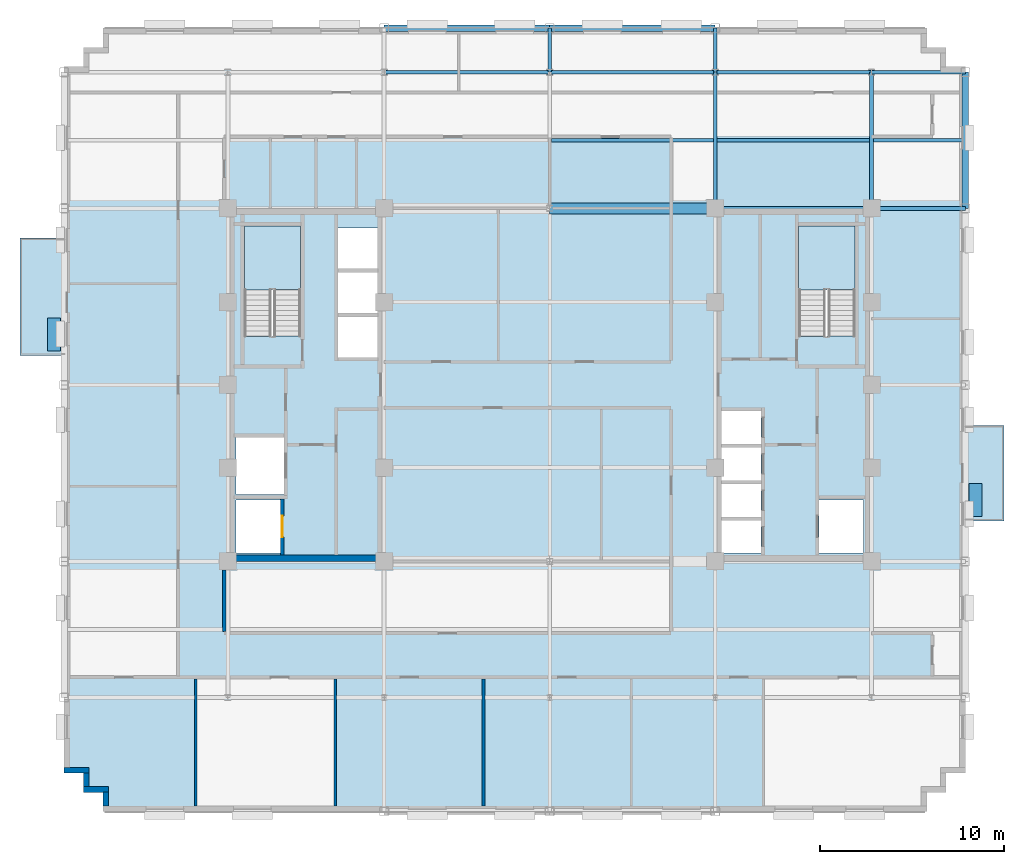
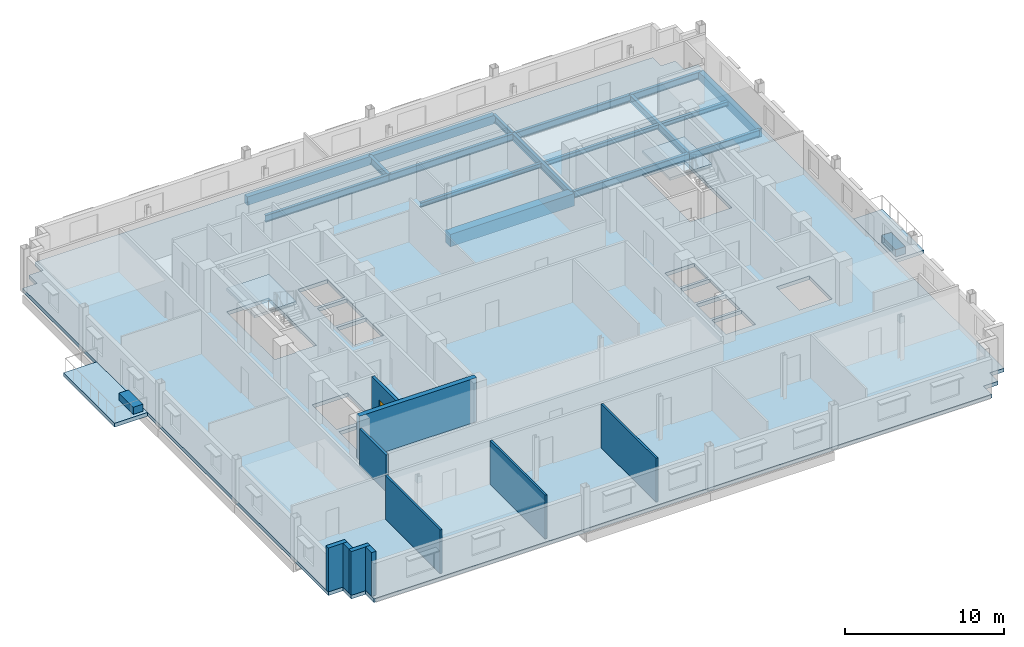
# One storey, part 6 of 15: 17 beams, 10 walls, 5 slabs, 2 plates, 1 door, 1 opening, 2 elements without a shape of their own.
"""IFC4 building model written with IfcOpenShell, lengths in metres."""

from ifc_helpers import new_model, si_unit, direction, frame, frame_2d, origin, origin_2d, place, context, subcontext, project, spatial, polyline, rectangle, i_section, outline, extrude, source, transform, mapped, material, layer, layer_set, material_profile, profile_set, type_object, type_shapes, element, fill, aggregate, save


model = new_model("IFC4")

# Units and contexts
model_context = context("Model", 3, precision=1e-05, world=origin(), true_north=direction((0.0, 1.0)))
body_context = subcontext(model_context, "Body", "Model", "MODEL_VIEW")
ifc_project = project(units=[si_unit("LENGTHUNIT", "METRE"), si_unit("AREAUNIT", "SQUARE_METRE"), si_unit("VOLUMEUNIT", "CUBIC_METRE"), si_unit("PLANEANGLEUNIT", "RADIAN"), si_unit("MASSUNIT", "GRAM", prefix="KILO")], contexts=[model_context])

# Site, building, storey
site_placement = place(None, origin())
site = spatial("IfcSite", under=ifc_project, at=site_placement, CompositionType="ELEMENT")
building_placement = place(site_placement, origin())
building = spatial("IfcBuilding", under=site, at=building_placement, Name="Nuvemarco Arch Tower", CompositionType="ELEMENT")
storey_placement = place(building_placement, frame((0.0, 0.0, 190.89990234375)))
storey = spatial("IfcBuildingStorey", under=building, at=storey_placement, Name="L50", CompositionType="ELEMENT", Elevation=190.89990234375)

# Beams
ifc_material_1 = material(Name="Concrete C60/75", Category="concrete")
ifc_material_profile_1 = material_profile(ifc_material_1, rectangle(XDim=0.60009765625, YDim=0.949951171875, at=origin_2d()), Name="RC-BM-600x950")
ifc_profile_set_1 = profile_set([ifc_material_profile_1], Name="Concrete C60/75")
beam_type_1 = type_object("IfcBeamType", Name="BM-COUP-RC", PredefinedType="LINTEL", material=ifc_profile_set_1)
beam_1_placement = place(storey_placement, frame((0.0, 9.60009765625, -0.7548828125), z_axis=(1.0, 0.0, 0.0), x_axis=(0.0, 1.0, 0.0)))
element("IfcBeam", 1, at=beam_1_placement, inside=storey, type_object=beam_type_1, Name="L50 structural beam BGEW_L50_0_+9.6_+0.0", PredefinedType="LINTEL", context=body_context, shape_type="SweptSolid", body=[
    extrude(rectangle(XDim=0.60009765625, YDim=0.949951171875, at=origin_2d()), origin(), (0.0, 0.0, 1.0), 9.0),
])
ifc_material_2 = material(Name="Steel S355", Category="steel")
ifc_material_profile_2 = material_profile(ifc_material_2, i_section(OverallWidth=0.2109375, OverallDepth=0.5390625, WebThickness=0.01171875, FlangeThickness=0.018798828125, FilletRadius=0.01611328125, at=origin_2d()), Name="W530x109")
ifc_profile_set_2 = profile_set([ifc_material_profile_2], Name="Steel S355")
beam_type_2 = type_object("IfcBeamType", Name="BM-GIRD-530", PredefinedType="BEAM", material=ifc_profile_set_2)
beam_2_placement = place(storey_placement, frame((0.0, 17.0, -0.54931640625), z_axis=(0.0, 1.0, 0.0), x_axis=(-1.0, 0.0, 0.0)))
element("IfcBeam", 2, at=beam_2_placement, inside=storey, type_object=beam_type_2, Name="L50 structural beam BGNS_L50_0_+0.0_+17.0", PredefinedType="BEAM", context=body_context, shape_type="SweptSolid", body=[
    extrude(i_section(OverallWidth=0.2109375, OverallDepth=0.5390625, WebThickness=0.01171875, FlangeThickness=0.018798828125, FilletRadius=0.01611328125, at=origin_2d()), origin(), (0.0, 0.0, 1.0), 2.39990234375),
])
beam_3_placement = place(storey_placement, frame((9.0, 9.60009765625, -0.54931640625), z_axis=(0.0, 1.0, 0.0), x_axis=(-1.0, 0.0, 0.0)))
element("IfcBeam", 3, at=beam_3_placement, inside=storey, type_object=beam_type_2, Name="L50 structural beam BGNS_L50_0_+9.0_+9.6", PredefinedType="BEAM", context=body_context, shape_type="SweptSolid", body=[
    extrude(i_section(OverallWidth=0.2109375, OverallDepth=0.5390625, WebThickness=0.01171875, FlangeThickness=0.018798828125, FilletRadius=0.01611328125, at=origin_2d()), origin(), (0.0, 0.0, 1.0), 7.39990234375),
])
beam_4_placement = place(storey_placement, frame((9.0, 17.0, -0.54931640625), z_axis=(0.0, 1.0, 0.0), x_axis=(-1.0, 0.0, 0.0)))
element("IfcBeam", 4, at=beam_4_placement, inside=storey, type_object=beam_type_2, Name="L50 structural beam BGNS_L50_0_+9.0_+17.0", PredefinedType="BEAM", context=body_context, shape_type="SweptSolid", body=[
    extrude(i_section(OverallWidth=0.2109375, OverallDepth=0.5390625, WebThickness=0.01171875, FlangeThickness=0.018798828125, FilletRadius=0.01611328125, at=origin_2d()), origin(), (0.0, 0.0, 1.0), 2.39990234375),
])
beam_5_placement = place(storey_placement, frame((17.5, 9.60009765625, -0.54931640625), z_axis=(0.0, 1.0, 0.0), x_axis=(-1.0, 0.0, 0.0)))
element("IfcBeam", 5, at=beam_5_placement, inside=storey, type_object=beam_type_2, Name="L50 structural beam BGNS_L50_0_+17.5_+9.6", PredefinedType="BEAM", context=body_context, shape_type="SweptSolid", body=[
    extrude(i_section(OverallWidth=0.2109375, OverallDepth=0.5390625, WebThickness=0.01171875, FlangeThickness=0.018798828125, FilletRadius=0.01611328125, at=origin_2d()), origin(), (0.0, 0.0, 1.0), 7.39990234375),
])
beam_6_placement = place(storey_placement, frame((9.0, 9.60009765625, -0.54931640625), z_axis=(1.0, 0.0, 0.0), x_axis=(0.0, 1.0, 0.0)))
element("IfcBeam", 6, at=beam_6_placement, inside=storey, type_object=beam_type_2, Name="L50 structural beam BGEW_L50_0_+9.6_+9.0", PredefinedType="BEAM", context=body_context, shape_type="SweptSolid", body=[
    extrude(i_section(OverallWidth=0.2109375, OverallDepth=0.5390625, WebThickness=0.01171875, FlangeThickness=0.018798828125, FilletRadius=0.01611328125, at=origin_2d()), origin(), (0.0, 0.0, 1.0), 8.5),
])
beam_7_placement = place(storey_placement, frame((17.5, 9.60009765625, -0.54931640625), z_axis=(1.0, 0.0, 0.0), x_axis=(0.0, 1.0, 0.0)))
element("IfcBeam", 7, at=beam_7_placement, inside=storey, type_object=beam_type_2, Name="L50 structural beam BGEW_L50_0_+9.6_+17.5", PredefinedType="BEAM", context=body_context, shape_type="SweptSolid", body=[
    extrude(i_section(OverallWidth=0.2109375, OverallDepth=0.5390625, WebThickness=0.01171875, FlangeThickness=0.018798828125, FilletRadius=0.01611328125, at=origin_2d()), origin(), (0.0, 0.0, 1.0), 5.10009765625),
])
for number, where, z_axis, x_axis, name in (
    (8, (-9.0, 17.0, -0.54931640625), (1.0, 0.0, 0.0), (0.0, 1.0, 0.0), "L50 structural beam BGEW_L50_0_+17.0_-9.0"),
    (9, (0.0, 17.0, -0.54931640625), (1.0, 0.0, 0.0), (0.0, 1.0, 0.0), "L50 structural beam BGEW_L50_0_+17.0_+0.0"),
):
    element("IfcBeam", number, at=place(storey_placement, frame(where, z_axis=z_axis, x_axis=x_axis)), inside=storey, type_object=beam_type_2, Name=name, PredefinedType="BEAM", context=body_context, shape_type="SweptSolid", body=[
        extrude(i_section(OverallWidth=0.2109375, OverallDepth=0.5390625, WebThickness=0.01171875, FlangeThickness=0.018798828125, FilletRadius=0.01611328125, at=origin_2d()), origin(), (0.0, 0.0, 1.0), 9.0),
    ])
beam_8_placement = place(storey_placement, frame((9.0, 17.0, -0.54931640625), z_axis=(1.0, 0.0, 0.0), x_axis=(0.0, 1.0, 0.0)))
element("IfcBeam", 10, at=beam_8_placement, inside=storey, type_object=beam_type_2, Name="L50 structural beam BGEW_L50_0_+17.0_+9.0", PredefinedType="BEAM", context=body_context, shape_type="SweptSolid", body=[
    extrude(i_section(OverallWidth=0.2109375, OverallDepth=0.5390625, WebThickness=0.01171875, FlangeThickness=0.018798828125, FilletRadius=0.01611328125, at=origin_2d()), origin(), (0.0, 0.0, 1.0), 8.5),
])
beam_9_placement = place(storey_placement, frame((17.5, 17.0, -0.54931640625), z_axis=(1.0, 0.0, 0.0), x_axis=(0.0, 1.0, 0.0)))
element("IfcBeam", 11, at=beam_9_placement, inside=storey, type_object=beam_type_2, Name="L50 structural beam BGEW_L50_0_+17.0_+17.5", PredefinedType="BEAM", context=body_context, shape_type="SweptSolid", body=[
    extrude(i_section(OverallWidth=0.2109375, OverallDepth=0.5390625, WebThickness=0.01171875, FlangeThickness=0.018798828125, FilletRadius=0.01611328125, at=origin_2d()), origin(), (0.0, 0.0, 1.0), 5.10009765625),
])
ifc_material_profile_3 = material_profile(ifc_material_2, i_section(OverallWidth=0.202880859375, OverallDepth=0.346923828125, WebThickness=0.0078125, FlangeThickness=0.013427734375, FilletRadius=0.014892578125, at=origin_2d()), Name="W360x64")
ifc_profile_set_3 = profile_set([ifc_material_profile_3], Name="Steel S355")
beam_type_3 = type_object("IfcBeamType", Name="BM-JOIST-360", PredefinedType="JOIST", material=ifc_profile_set_3)
beam_10_placement = place(storey_placement, frame((0.10546875, 13.300048828125, -0.453369140625), z_axis=(1.0, 0.0, 0.0), x_axis=(0.0, 1.0, 0.0)))
element("IfcBeam", 12, at=beam_10_placement, inside=storey, type_object=beam_type_3, Name="L50 structural beam BJ_L50_0_+13.3_+0.0", PredefinedType="JOIST", context=body_context, shape_type="SweptSolid", body=[
    extrude(i_section(OverallWidth=0.202880859375, OverallDepth=0.346923828125, WebThickness=0.0078125, FlangeThickness=0.013427734375, FilletRadius=0.014892578125, at=origin_2d()), origin(), (0.0, 0.0, 1.0), 8.7890625),
])
beam_11_placement = place(storey_placement, frame((9.10546875, 13.300048828125, -0.453369140625), z_axis=(1.0, 0.0, 0.0), x_axis=(0.0, 1.0, 0.0)))
element("IfcBeam", 13, at=beam_11_placement, inside=storey, type_object=beam_type_3, Name="L50 structural beam BJ_L50_0_+13.3_+9.0", PredefinedType="JOIST", context=body_context, shape_type="SweptSolid", body=[
    extrude(i_section(OverallWidth=0.202880859375, OverallDepth=0.346923828125, WebThickness=0.0078125, FlangeThickness=0.013427734375, FilletRadius=0.014892578125, at=origin_2d()), origin(), (0.0, 0.0, 1.0), 8.2890625),
])
beam_12_placement = place(storey_placement, frame((17.60546875, 13.300048828125, -0.453369140625), z_axis=(1.0, 0.0, 0.0), x_axis=(0.0, 1.0, 0.0)))
element("IfcBeam", 14, at=beam_12_placement, inside=storey, type_object=beam_type_3, Name="L50 structural beam BJ_L50_0_+13.3_+17.5", PredefinedType="JOIST", context=body_context, shape_type="SweptSolid", body=[
    extrude(i_section(OverallWidth=0.202880859375, OverallDepth=0.346923828125, WebThickness=0.0078125, FlangeThickness=0.013427734375, FilletRadius=0.014892578125, at=origin_2d()), origin(), (0.0, 0.0, 1.0), 4.819580078125),
])
ifc_material_3 = material(Name="Precast concrete C45/55", Category="concrete")
ifc_material_profile_4 = material_profile(ifc_material_3, rectangle(XDim=0.35009765625, YDim=0.64990234375, at=origin_2d()), Name="PC-SP-350x650")
ifc_profile_set_4 = profile_set([ifc_material_profile_4], Name="Precast concrete C45/55")
beam_type_4 = type_object("IfcBeamType", Name="BM-SPAN-RC", PredefinedType="SPANDREL", material=ifc_profile_set_4)
beam_13_placement = place(storey_placement, frame((22.60009765625, 9.60009765625, -0.60498046875), z_axis=(0.0, 1.0, 0.0), x_axis=(-1.0, 0.0, 0.0)))
element("IfcBeam", 15, at=beam_13_placement, inside=storey, type_object=beam_type_4, Name="L50 structural beam BGNS_L50_0_+22.6_+9.6", PredefinedType="SPANDREL", context=body_context, shape_type="SweptSolid", body=[
    extrude(rectangle(XDim=0.35009765625, YDim=0.64990234375, at=origin_2d()), origin(), (0.0, 0.0, 1.0), 7.39990234375),
])
for number, where, z_axis, x_axis, name in (
    (16, (-9.0, 19.39990234375, -0.60498046875), (1.0, 0.0, 0.0), (0.0, 1.0, 0.0), "L50 structural beam BGEW_L50_0_+19.4_-9.0"),
    (17, (0.0, 19.39990234375, -0.60498046875), (1.0, 0.0, 0.0), (0.0, 1.0, 0.0), "L50 structural beam BGEW_L50_0_+19.4_+0.0"),
):
    element("IfcBeam", number, at=place(storey_placement, frame(where, z_axis=z_axis, x_axis=x_axis)), inside=storey, type_object=beam_type_4, Name=name, PredefinedType="SPANDREL", context=body_context, shape_type="SweptSolid", body=[
        extrude(rectangle(XDim=0.35009765625, YDim=0.64990234375, at=origin_2d()), origin(), (0.0, 0.0, 1.0), 9.0),
    ])

# Slab
ifc_material_4 = material(Name="Concrete C50/60", Category="concrete")
ifc_layer_1 = layer(ifc_material_4, 0.280029296875, Name="SL-FLR-280")
ifc_layer_set_1 = layer_set([ifc_layer_1], Name="Concrete C50/60")
slab_type_1 = type_object("IfcSlabType", Name="SL-FLR-280", PredefinedType="FLOOR", material=ifc_layer_set_1)
slab_1_placement = place(storey_placement, frame((0.0, 0.0, -0.27978515625)))
element("IfcSlab", 18, at=slab_1_placement, inside=storey, type_object=slab_type_1, Name="L50 structural floor slab", PredefinedType="FLOOR", context=body_context, shape_type="SweptSolid", body=[
    extrude(outline(polyline([(-24.300048828125, -23.199951171875), (20.5, -23.199951171875), (20.5, -22.14990234375), (21.550048828125, -22.14990234375), (21.550048828125, -21.10009765625), (22.60009765625, -21.10009765625), (22.60009765625, 17.300048828125), (21.550048828125, 17.300048828125), (21.550048828125, 18.35009765625), (20.5, 18.35009765625), (20.5, 19.39990234375), (-24.300048828125, 19.39990234375), (-24.300048828125, 18.35009765625), (-25.35009765625, 18.35009765625), (-25.35009765625, 17.300048828125), (-26.39990234375, 17.300048828125), (-26.39990234375, -21.10009765625), (-25.35009765625, -21.10009765625), (-25.35009765625, -22.14990234375), (-24.300048828125, -22.14990234375), (-24.300048828125, -23.199951171875)]), holes=[polyline([(-13.5400390625, 2.669921875), (-13.5400390625, 8.64990234375), (-16.60009765625, 8.64990234375), (-16.60009765625, 2.630615234375), (-15.070068359375, 2.630615234375), (-15.070068359375, 2.669921875), (-13.5400390625, 2.669921875)]), polyline([(16.60009765625, 2.669921875), (16.60009765625, 8.64990234375), (13.5400390625, 8.64990234375), (13.5400390625, 2.630615234375), (15.070068359375, 2.630615234375), (15.070068359375, 2.669921875), (16.60009765625, 2.669921875)]), polyline([(-17.050048828125, -9.14990234375), (-14.64990234375, -9.14990234375), (-14.64990234375, -6.25), (-17.050048828125, -6.25), (-17.050048828125, -9.14990234375)]), polyline([(-17.050048828125, -5.949951171875), (-14.449951171875, -5.949951171875), (-14.449951171875, -2.85009765625), (-17.050048828125, -2.85009765625), (-17.050048828125, -5.949951171875)]), polyline([(-11.5, 1.5), (-9.35009765625, 1.5), (-9.35009765625, 3.699951171875), (-11.5, 3.699951171875), (-11.5, 1.5)]), polyline([(-11.5, 3.919921875), (-9.35009765625, 3.919921875), (-9.35009765625, 6.1201171875), (-11.5, 6.1201171875), (-11.5, 3.919921875)]), polyline([(-11.5, 6.340087890625), (-9.35009765625, 6.340087890625), (-9.35009765625, 8.5400390625), (-11.5, 8.5400390625), (-11.5, 6.340087890625)]), polyline([(14.64990234375, -9.14990234375), (17.050048828125, -9.14990234375), (17.050048828125, -6.25), (14.64990234375, -6.25), (14.64990234375, -9.14990234375)]), polyline([(9.35009765625, -9.14990234375), (11.5, -9.14990234375), (11.5, -7.3701171875), (9.35009765625, -7.3701171875), (9.35009765625, -9.14990234375)]), polyline([(9.35009765625, -7.169921875), (11.5, -7.169921875), (11.5, -5.389892578125), (9.35009765625, -5.389892578125), (9.35009765625, -7.169921875)]), polyline([(9.35009765625, -5.18994140625), (11.5, -5.18994140625), (11.5, -3.409912109375), (9.35009765625, -3.409912109375), (9.35009765625, -5.18994140625)]), polyline([(9.35009765625, -3.2099609375), (11.5, -3.2099609375), (11.5, -1.429931640625), (9.35009765625, -1.429931640625), (9.35009765625, -3.2099609375)])]), origin(), (0.0, 0.0, 1.0), 0.27978515625),
])

# Stair, slab
stair_type = type_object("IfcStairType", Name="ST-CORE-20R", PredefinedType="HALF_TURN_STAIR", material=ifc_material_3)
stair_1_placement = place(storey_placement, origin())
stair_1 = element("IfcStair", 19, at=stair_1_placement, inside=storey, type_object=stair_type, Name="L50 Protected Exit Stair ST-1", PredefinedType="HALF_TURN_STAIR")
ifc_layer_2 = layer(ifc_material_3, 0.199951171875, Name="SL-LANDING-200")
ifc_layer_set_2 = layer_set([ifc_layer_2], Name="Precast concrete C45/55")
slab_type_2 = type_object("IfcSlabType", Name="SL-LANDING-200", PredefinedType="LANDING", material=ifc_layer_set_2)
slab_2_placement = place(storey_placement, frame((0.0, 0.0, 1.625)))
slab_2 = element("IfcSlab", 20, at=slab_2_placement, type_object=slab_type_2, Name="ST-20R landing 1", PredefinedType="LANDING", context=body_context, shape_type="SweptSolid", body=[
    extrude(outline(polyline([(-13.5400390625, 5.189453125), (-13.5400390625, 8.64990234375), (-16.60009765625, 8.64990234375), (-16.60009765625, 5.169921875), (-15.070068359375, 5.169921875), (-15.070068359375, 5.189453125), (-13.5400390625, 5.189453125)])), origin(), (0.0, 0.0, 1.0), 0.2001953125),
])
aggregate(stair_1, [slab_2])

stair_2_placement = place(storey_placement, origin())
stair_2 = element("IfcStair", 21, at=stair_2_placement, inside=storey, type_object=stair_type, Name="L50 Protected Exit Stair ST-2", PredefinedType="HALF_TURN_STAIR")
slab_3_placement = place(storey_placement, frame((0.0, 0.0, 1.625)))
slab_3 = element("IfcSlab", 22, at=slab_3_placement, type_object=slab_type_2, Name="ST-20R landing 1", PredefinedType="LANDING", context=body_context, shape_type="SweptSolid", body=[
    extrude(outline(polyline([(16.60009765625, 5.189453125), (16.60009765625, 8.64990234375), (13.5400390625, 8.64990234375), (13.5400390625, 5.169921875), (15.070068359375, 5.169921875), (15.070068359375, 5.189453125), (16.60009765625, 5.189453125)])), origin(), (0.0, 0.0, 1.0), 0.2001953125),
])
aggregate(stair_2, [slab_3])

# Slabs
ifc_layer_3 = layer(ifc_material_4, 0.264892578125, Name="SL-TB1")
ifc_layer_set_3 = layer_set([ifc_layer_3], Name="Concrete C50/60")
slab_type_3 = type_object("IfcSlabType", Name="SL-TB1", PredefinedType="FLOOR", material=ifc_layer_set_3)
slab_4_placement = place(storey_placement, frame((0.0, 0.0, -0.264892578125)))
element("IfcSlab", 23, at=slab_4_placement, inside=storey, type_object=slab_type_3, Name="L50 outdoor tree balcony slab 2", PredefinedType="FLOOR", context=body_context, shape_type="SweptSolid", body=[
    extrude(outline(polyline([(22.60009765625, -7.39990234375), (24.699951171875, -7.39990234375), (24.699951171875, -2.199951171875), (22.60009765625, -2.199951171875), (22.60009765625, -7.39990234375)])), origin(), (0.0, 0.0, 1.0), 0.264892578125),
])
ifc_layer_4 = layer(ifc_material_4, 0.294921875, Name="SL-TR4")
ifc_layer_set_4 = layer_set([ifc_layer_4], Name="Concrete C50/60")
slab_type_4 = type_object("IfcSlabType", Name="SL-TR4", PredefinedType="FLOOR", material=ifc_layer_set_4)
slab_5_placement = place(storey_placement, frame((0.0, 0.0, -0.294921875)))
element("IfcSlab", 24, at=slab_5_placement, inside=storey, type_object=slab_type_4, Name="L50 outdoor spiral terrace slab 1", PredefinedType="FLOOR", context=body_context, shape_type="SweptSolid", body=[
    extrude(outline(polyline([(-28.800048828125, 1.60009765625), (-26.39990234375, 1.60009765625), (-26.39990234375, 8.0), (-28.800048828125, 8.0), (-28.800048828125, 1.60009765625)])), origin(), (0.0, 0.0, 1.0), 0.294921875),
])

# Plates
ifc_layer_5 = layer(ifc_material_3, 0.550048828125, Name="Tree Balcony Structural Planter")
ifc_layer_set_5 = layer_set([ifc_layer_5], Name="Precast concrete C45/55")
plate_type = type_object("IfcPlateType", Name="Tree Balcony Structural Planter", PredefinedType="USERDEFINED", material=ifc_layer_set_5)
shared_shape_1 = source(origin(), body_context, "Body", "SweptSolid", [
    extrude(rectangle(XDim=1.800048828125, YDim=0.699951171875, at=origin_2d()), origin(), (0.0, 0.0, 1.0), 0.550048828125),
])
type_shapes(plate_type, [shared_shape_1])
for number, where, z_axis, x_axis, name in (
    (25, (-26.949951171875, 2.75, 0.0), (0.0, 0.0, 1.0), (0.0, 1.0, 0.0), "L50 Tree Balcony Structural Planter"),
    (26, (23.14990234375, -6.25, 0.0), (0.0, 0.0, 1.0), (0.0, 1.0, 0.0), "L50 Tree Balcony Structural Planter"),
):
    element("IfcPlate", number, at=place(storey_placement, frame(where, z_axis=z_axis, x_axis=x_axis)), inside=storey, type_object=plate_type, Name=name, ObjectType="PLANTER", PredefinedType="USERDEFINED", context=body_context, shape_type="MappedRepresentation", body=[
        mapped(shared_shape_1, transform((0.0, 0.0, 0.0), scale=1.0)),
    ])

# Walls
ifc_layer_6 = layer(ifc_material_3, 0.31005859375, Name="EW-UPP-310")
ifc_layer_set_6 = layer_set([ifc_layer_6], Name="Precast concrete C45/55")
wall_type_1 = type_object("IfcWallType", Name="EW-UPP-310", PredefinedType="STANDARD", material=ifc_layer_set_6)
wall_1_placement = place(storey_placement, frame((-26.39990234375, -20.945068359375, 0.0), z_axis=(0.0, 0.0, 1.0), x_axis=(1.0, 0.0, 0.0)))
element("IfcWall", 27, at=wall_1_placement, inside=storey, type_object=wall_type_1, Name="L50 exterior precast facade wall 17", PredefinedType="STANDARD", context=body_context, shape_type="SweptSolid", body=[
    extrude(rectangle(XDim=1.35986328125, YDim=0.31005859375, at=frame_2d((0.679931640625, 0.0))), origin(), (0.0, 0.0, 1.0), 3.360107421875),
])
wall_2_placement = place(storey_placement, frame((-25.195068359375, -21.843994140625, 0.0), z_axis=(0.0, 0.0, 1.0), x_axis=(0.0, 1.0, 0.0)))
element("IfcWall", 28, at=wall_2_placement, inside=storey, type_object=wall_type_1, Name="L50 exterior precast facade wall 18", PredefinedType="STANDARD", context=body_context, shape_type="SweptSolid", body=[
    extrude(rectangle(XDim=0.748046875, YDim=0.31005859375, at=frame_2d((0.3740234375, 0.0))), origin(), (0.0, 0.0, 1.0), 3.360107421875),
])
wall_3_placement = place(storey_placement, frame((-25.35009765625, -21.9951171875, 0.0), z_axis=(0.0, 0.0, 1.0), x_axis=(1.0, 0.0, 0.0)))
element("IfcWall", 29, at=wall_3_placement, inside=storey, type_object=wall_type_1, Name="L50 exterior precast facade wall 19", PredefinedType="STANDARD", context=body_context, shape_type="SweptSolid", body=[
    extrude(rectangle(XDim=1.360107421875, YDim=0.31005859375, at=frame_2d((0.68017578125, 0.0))), origin(), (0.0, 0.0, 1.0), 3.360107421875),
])
wall_4_placement = place(storey_placement, frame((-24.14501953125, -22.89404296875, 0.0), z_axis=(0.0, 0.0, 1.0), x_axis=(0.0, 1.0, 0.0)))
element("IfcWall", 30, at=wall_4_placement, inside=storey, type_object=wall_type_1, Name="L50 exterior precast facade wall 20", PredefinedType="STANDARD", context=body_context, shape_type="SweptSolid", body=[
    extrude(rectangle(XDim=0.748046875, YDim=0.31005859375, at=frame_2d((0.3740234375, 0.0))), origin(), (0.0, 0.0, 1.0), 3.360107421875),
])
ifc_layer_7 = layer(ifc_material_4, 0.35009765625, Name="WL-CORE-350")
ifc_layer_set_7 = layer_set([ifc_layer_7], Name="Concrete C50/60")
wall_type_2 = type_object("IfcWallType", Name="WL-CORE-350", PredefinedType="SHEAR", material=ifc_layer_set_7)
wall_5_placement = place(storey_placement, frame((-17.5, -9.425048828125, 0.0), z_axis=(0.0, 0.0, 1.0), x_axis=(1.0, 0.0, 0.0)))
element("IfcWall", 31, at=wall_5_placement, inside=storey, type_object=wall_type_2, Name="L50 W-core shear wall S", PredefinedType="SHEAR", context=body_context, shape_type="SweptSolid", body=[
    extrude(rectangle(XDim=8.5, YDim=0.35009765625, at=frame_2d((4.25, 0.0))), origin(), (0.0, 0.0, 1.0), 3.3701171875),
])
ifc_material_5 = material(Name="Fire-rated gypsum drywall partition")
ifc_layer_8 = layer(ifc_material_5, 0.179931640625, Name="WL-CORR-180")
ifc_layer_set_8 = layer_set([ifc_layer_8], Name="Fire-rated gypsum drywall partition")
wall_type_3 = type_object("IfcWallType", Name="WL-CORR-180", PredefinedType="PARTITIONING", material=ifc_layer_set_8)
wall_6_placement = place(storey_placement, frame((-17.699951171875, -13.4140625, 0.0), z_axis=(0.0, 0.0, 1.0), x_axis=(0.0, 1.0, 0.0)))
element("IfcWall", 32, at=wall_6_placement, inside=storey, type_object=wall_type_3, Name="L50 interior wall IW-L50-018", PredefinedType="PARTITIONING", context=body_context, shape_type="SweptSolid", body=[
    extrude(rectangle(XDim=3.343017578125, YDim=0.179931640625, at=frame_2d((1.67138671875, 0.0))), origin(), (0.0, 0.0, 1.0), 2.816162109375),
])
ifc_material_6 = material(Name="Gypsum plasterboard partition")
ifc_layer_9 = layer(ifc_material_6, 0.139892578125, Name="WL-ROOM-140")
ifc_layer_set_9 = layer_set([ifc_layer_9], Name="Gypsum plasterboard partition")
wall_type_4 = type_object("IfcWallType", Name="WL-ROOM-140", PredefinedType="PARTITIONING", material=ifc_layer_set_9)
for number, where, z_axis, x_axis, name in (
    (33, (-19.25, -22.889892578125, 0.0), (0.0, 0.0, 1.0), (0.0, 1.0, 0.0), "L50 interior wall IW-L50-017"),
    (34, (-11.64990234375, -22.889892578125, 0.0), (0.0, 0.0, 1.0), (0.0, 1.0, 0.0), "L50 interior wall IW-L50-022"),
    (35, (-3.60009765625, -22.889892578125, 0.0), (0.0, 0.0, 1.0), (0.0, 1.0, 0.0), "L50 interior wall IW-L50-025"),
):
    element("IfcWall", number, at=place(storey_placement, frame(where, z_axis=z_axis, x_axis=x_axis)), inside=storey, type_object=wall_type_4, Name=name, PredefinedType="PARTITIONING", context=body_context, shape_type="SweptSolid", body=[
        extrude(rectangle(XDim=6.90380859375, YDim=0.139892578125, at=frame_2d((3.451904296875, 0.0))), origin(), (0.0, 0.0, 1.0), 3.360107421875),
    ])

# Wall, opening, door
ifc_layer_10 = layer(ifc_material_4, 0.199951171875, Name="WL-SHAFT-220")
ifc_layer_set_10 = layer_set([ifc_layer_10], Name="Concrete C50/60")
wall_type_5 = type_object("IfcWallType", Name="WL-SHAFT-220", PredefinedType="SHEAR", material=ifc_layer_set_10)
wall_7_placement = place(storey_placement, frame((-14.550048828125, -9.2548828125, 0.0), z_axis=(0.0, 0.0, 1.0), x_axis=(0.0, 1.0, 0.0)))
wall_7 = element("IfcWall", 36, at=wall_7_placement, inside=storey, type_object=wall_type_5, Name="L50 structural shaft wall SW-L50-W-SHE", PredefinedType="SHEAR", context=body_context, shape_type="SweptSolid", body=[
    extrude(rectangle(XDim=3.059814453125, YDim=0.199951171875, at=frame_2d((1.52978515625, 0.0))), origin(), (0.0, 0.0, 1.0), 3.3701171875),
])
opening_placement = place(wall_7_placement, frame((0.97998046875, 0.0, 0.0)))
opening = element("IfcOpeningElement", 37, at=opening_placement, cuts=wall_7, Name="Opening LD-2", PredefinedType="OPENING", context=body_context, shape_type="SweptSolid", body=[
    extrude(rectangle(XDim=1.14990234375, YDim=2.14990234375, at=frame_2d((0.574951171875, 1.074951171875))), frame((0.0, 0.10986328125, 0.0), z_axis=(0.0, -1.0, 0.0), x_axis=(1.0, 0.0, 0.0)), (0.0, 0.0, 1.0), 0.219970703125),
])
ifc_material_7 = material(Name="Stainless steel lift door", Category="steel")
door_type = type_object("IfcDoorType", Name="DR-LIFT-FIRE", OperationType="DOUBLE_DOOR_SLIDING", PredefinedType="DOOR", material=ifc_material_7)
shared_shape_2 = source(origin(), body_context, "Body", "SweptSolid", [
    extrude(rectangle(XDim=1.14990234375, YDim=2.14990234375, at=frame_2d((0.574951171875, 1.074951171875))), frame((0.0, 0.02490234375, 0.0), z_axis=(0.0, -1.0, 0.0), x_axis=(1.0, 0.0, 0.0)), (0.0, 0.0, 1.0), 0.050048828125),
])
type_shapes(door_type, [shared_shape_2])
door_placement = place(opening_placement, origin())
door = element("IfcDoor", 38, at=door_placement, inside=storey, type_object=door_type, Name="L50 Lift landing sliding door FFL-1", OperationType="DOUBLE_DOOR_SLIDING", OverallHeight=2.14990234375, OverallWidth=1.14990234375, PredefinedType="DOOR", context=body_context, shape_type="MappedRepresentation", body=[
    mapped(shared_shape_2, transform((0.0, 0.0, 0.0), scale=1.0)),
])
fill(opening, door)

save(model, "model.ifc")
